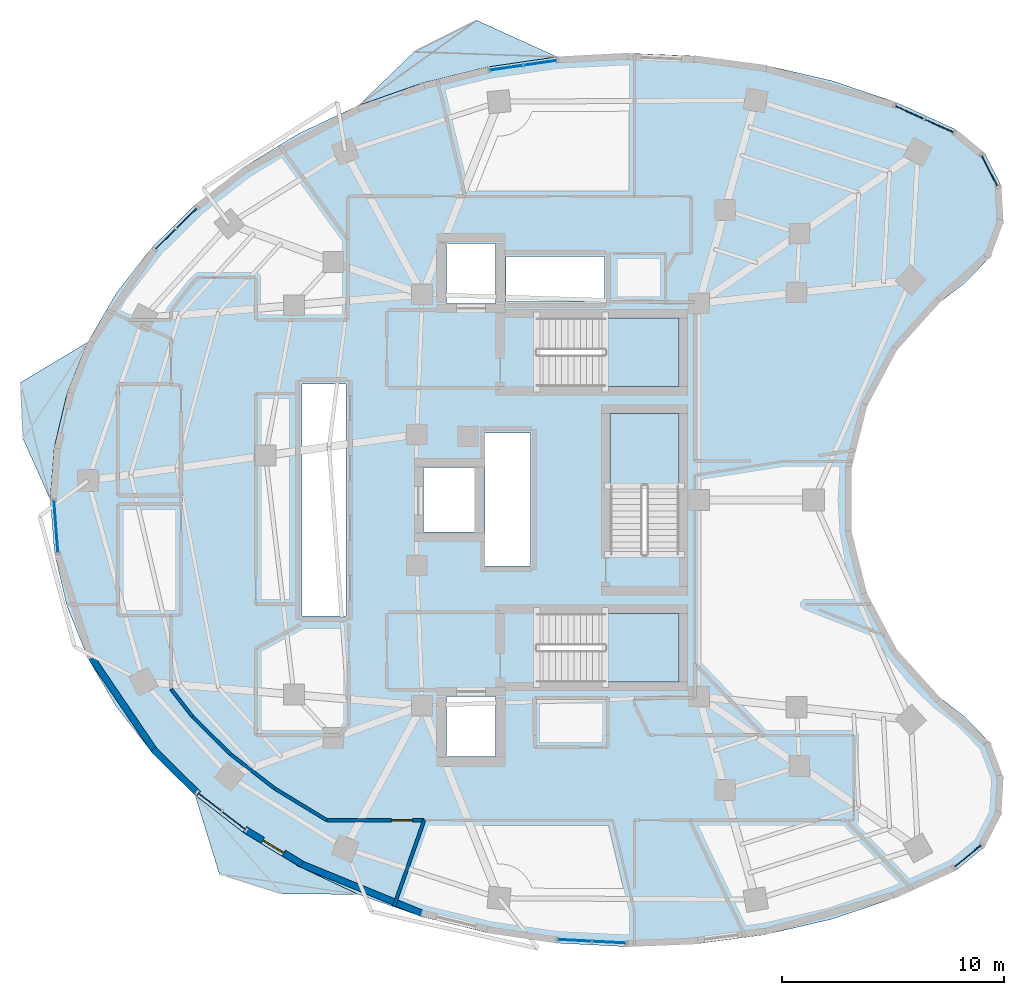
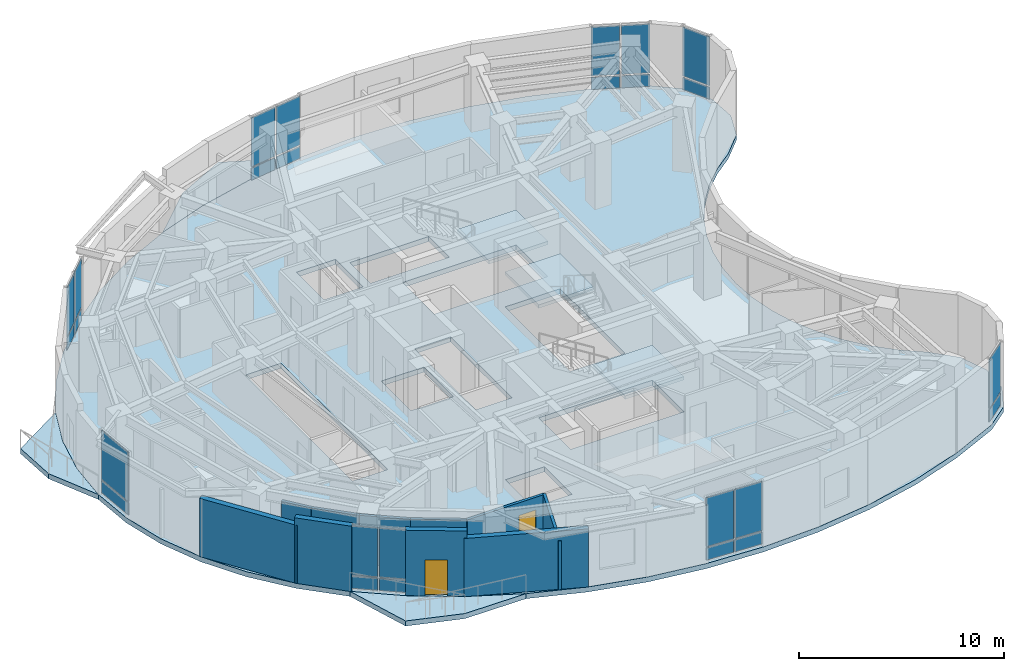
# One storey, part 6 of 13: 26 plates, 10 walls, 7 slabs, 2 doors, 2 openings, 11 elements without a shape of their own.
"""IFC4 building model written with IfcOpenShell, lengths in metres."""

from ifc_helpers import new_model, si_unit, direction, frame, frame_2d, origin, origin_2d, place, context, subcontext, project, spatial, polyline, rectangle, outline, extrude, material, layer, layer_set, type_object, element, fill, aggregate, save


model = new_model("IFC4")

# Units and contexts
model_context = context("Model", 3, precision=1e-05, world=origin(), true_north=direction((0.0, 1.0)))
body_context = subcontext(model_context, "Body", "Model", "MODEL_VIEW")
ifc_project = project(units=[si_unit("LENGTHUNIT", "METRE"), si_unit("AREAUNIT", "SQUARE_METRE"), si_unit("VOLUMEUNIT", "CUBIC_METRE"), si_unit("PLANEANGLEUNIT", "RADIAN"), si_unit("MASSUNIT", "GRAM", prefix="KILO")], contexts=[model_context])

# Site, building, storey
site_placement = place(None, origin())
site = spatial("IfcSite", under=ifc_project, at=site_placement, CompositionType="ELEMENT")
building_placement = place(site_placement, origin())
building = spatial("IfcBuilding", under=site, at=building_placement, Name="Korentha Bioscience Tower", CompositionType="ELEMENT")
storey_placement = place(building_placement, frame((0.0, 0.0, 204.60009765625)))
storey = spatial("IfcBuildingStorey", under=building, at=storey_placement, Name="L47", CompositionType="ELEMENT", Elevation=204.60009765625)

# Curtain wall, plates
ifc_material_1 = material(Name="Thermally Broken Aluminium Frame", Category="aluminium")
ifc_layer_1 = layer(ifc_material_1, 0.219970703125, Name="Thermally Broken Aluminium Frame")
ifc_layer_set_1 = layer_set([ifc_layer_1], Name="Thermally Broken Aluminium Frame (CW-T1)")
curtain_wall_type = type_object("IfcCurtainWallType", Name="Standard Bioscience Lab Unitised Curtain Wall CW-T1", PredefinedType="USERDEFINED", material=ifc_layer_set_1)
curtain_wall_1_placement = place(storey_placement, origin())
curtain_wall_1 = element("IfcCurtainWall", 1, at=curtain_wall_1_placement, inside=storey, type_object=curtain_wall_type, Name="L47 Curtain Wall 01", ObjectType="UNITISED", PredefinedType="USERDEFINED")
ifc_material_2 = material(Name="Triple-Glazed Low-E Insulated Glass", Category="glass")
ifc_layer_2 = layer(ifc_material_2, 0.0439453125, Name="Triple-Glazed Low-E Insulated Glass")
ifc_layer_set_2 = layer_set([ifc_layer_2], Name="Triple-Glazed Low-E Insulated Glass (GL-44)")
plate_type = type_object("IfcPlateType", Name="Glazed Panel 44mm", PredefinedType="CURTAIN_PANEL", material=ifc_layer_set_2)
plate_1_placement = place(storey_placement, frame((48.370849609375, 43.83203125, 0.08984375), z_axis=(0.0, 0.0, 1.0), x_axis=(-0.910520215031, 0.413464554733, 0.0)))
plate_1 = element("IfcPlate", 2, at=plate_1_placement, type_object=plate_type, Name="CW-L47-01 Bay 1 Glazed Panel 1", PredefinedType="CURTAIN_PANEL", context=body_context, shape_type="SweptSolid", body=[
    extrude(rectangle(XDim=1.390380859375, YDim=0.0439453125, at=origin_2d()), origin(), (0.0, 0.0, 1.0), 0.715087890625),
])
plate_2_placement = place(storey_placement, frame((48.370849609375, 43.83203125, 0.894775390625), z_axis=(0.0, 0.0, 1.0), x_axis=(-0.910520215031, 0.413464554733, 0.0)))
plate_2 = element("IfcPlate", 3, at=plate_2_placement, type_object=plate_type, Name="CW-L47-01 Bay 1 Glazed Panel 2", PredefinedType="CURTAIN_PANEL", context=body_context, shape_type="SweptSolid", body=[
    extrude(rectangle(XDim=1.390380859375, YDim=0.0439453125, at=origin_2d()), origin(), (0.0, 0.0, 1.0), 2.9150390625),
])
plate_3_placement = place(storey_placement, frame((47.02294921875, 44.444091796875, 0.08984375), z_axis=(0.0, 0.0, 1.0), x_axis=(-0.910520215031, 0.413464554733, 0.0)))
plate_3 = element("IfcPlate", 4, at=plate_3_placement, type_object=plate_type, Name="CW-L47-01 Bay 2 Glazed Panel 1", PredefinedType="CURTAIN_PANEL", context=body_context, shape_type="SweptSolid", body=[
    extrude(rectangle(XDim=1.390380859375, YDim=0.0439453125, at=origin_2d()), origin(), (0.0, 0.0, 1.0), 0.715087890625),
])
plate_4_placement = place(storey_placement, frame((47.02294921875, 44.444091796875, 0.894775390625), z_axis=(0.0, 0.0, 1.0), x_axis=(-0.910520215031, 0.413464554733, 0.0)))
plate_4 = element("IfcPlate", 5, at=plate_4_placement, type_object=plate_type, Name="CW-L47-01 Bay 2 Glazed Panel 2", PredefinedType="CURTAIN_PANEL", context=body_context, shape_type="SweptSolid", body=[
    extrude(rectangle(XDim=1.390380859375, YDim=0.0439453125, at=origin_2d()), origin(), (0.0, 0.0, 1.0), 2.9150390625),
])
aggregate(curtain_wall_1, [plate_1, plate_2, plate_3, plate_4])

curtain_wall_2_placement = place(storey_placement, origin())
curtain_wall_2 = element("IfcCurtainWall", 6, at=curtain_wall_2_placement, inside=storey, type_object=curtain_wall_type, Name="L47 Curtain Wall 07", ObjectType="UNITISED", PredefinedType="USERDEFINED")
plate_5_placement = place(storey_placement, frame((30.4111328125, 46.671142578125, 0.08984375), z_axis=(0.0, 0.0, 1.0), x_axis=(-0.989449480287, -0.144878314317, 0.0)))
plate_5 = element("IfcPlate", 7, at=plate_5_placement, type_object=plate_type, Name="CW-L47-07 Bay 1 Glazed Panel 1", PredefinedType="CURTAIN_PANEL", context=body_context, shape_type="SweptSolid", body=[
    extrude(rectangle(XDim=1.46435546875, YDim=0.0439453125, at=origin_2d()), origin(), (0.0, 0.0, 1.0), 0.715087890625),
])
plate_6_placement = place(storey_placement, frame((30.4111328125, 46.671142578125, 0.894775390625), z_axis=(0.0, 0.0, 1.0), x_axis=(-0.989449480287, -0.144878314317, 0.0)))
plate_6 = element("IfcPlate", 8, at=plate_6_placement, type_object=plate_type, Name="CW-L47-07 Bay 1 Glazed Panel 2", PredefinedType="CURTAIN_PANEL", context=body_context, shape_type="SweptSolid", body=[
    extrude(rectangle(XDim=1.46435546875, YDim=0.0439453125, at=origin_2d()), origin(), (0.0, 0.0, 1.0), 2.9150390625),
])
plate_7_placement = place(storey_placement, frame((28.873291015625, 46.44580078125, 0.08984375), z_axis=(0.0, 0.0, 1.0), x_axis=(-0.989449480287, -0.144878314317, 0.0)))
plate_7 = element("IfcPlate", 9, at=plate_7_placement, type_object=plate_type, Name="CW-L47-07 Bay 2 Glazed Panel 1", PredefinedType="CURTAIN_PANEL", context=body_context, shape_type="SweptSolid", body=[
    extrude(rectangle(XDim=1.46435546875, YDim=0.0439453125, at=origin_2d()), origin(), (0.0, 0.0, 1.0), 0.715087890625),
])
plate_8_placement = place(storey_placement, frame((28.873291015625, 46.44580078125, 0.894775390625), z_axis=(0.0, 0.0, 1.0), x_axis=(-0.989449480287, -0.144878314317, 0.0)))
plate_8 = element("IfcPlate", 10, at=plate_8_placement, type_object=plate_type, Name="CW-L47-07 Bay 2 Glazed Panel 2", PredefinedType="CURTAIN_PANEL", context=body_context, shape_type="SweptSolid", body=[
    extrude(rectangle(XDim=1.46435546875, YDim=0.0439453125, at=origin_2d()), origin(), (0.0, 0.0, 1.0), 2.9150390625),
])
aggregate(curtain_wall_2, [plate_5, plate_6, plate_7, plate_8])

curtain_wall_3_placement = place(storey_placement, origin())
curtain_wall_3 = element("IfcCurtainWall", 11, at=curtain_wall_3_placement, inside=storey, type_object=curtain_wall_type, Name="L47 Curtain Wall 13", ObjectType="UNITISED", PredefinedType="USERDEFINED")
plate_9_placement = place(storey_placement, frame((14.4990234375, 39.687255859375, 0.08984375), z_axis=(0.0, 0.0, 1.0), x_axis=(-0.711177694756, -0.703012294688, 0.0)))
plate_9 = element("IfcPlate", 12, at=plate_9_placement, type_object=plate_type, Name="CW-L47-13 Bay 1 Glazed Panel 1", PredefinedType="CURTAIN_PANEL", context=body_context, shape_type="SweptSolid", body=[
    extrude(rectangle(XDim=1.260986328125, YDim=0.0439453125, at=origin_2d()), origin(), (0.0, 0.0, 1.0), 0.715087890625),
])
plate_10_placement = place(storey_placement, frame((14.4990234375, 39.687255859375, 0.894775390625), z_axis=(0.0, 0.0, 1.0), x_axis=(-0.711177694756, -0.703012294688, 0.0)))
plate_10 = element("IfcPlate", 13, at=plate_10_placement, type_object=plate_type, Name="CW-L47-13 Bay 1 Glazed Panel 2", PredefinedType="CURTAIN_PANEL", context=body_context, shape_type="SweptSolid", body=[
    extrude(rectangle(XDim=1.260986328125, YDim=0.0439453125, at=origin_2d()), origin(), (0.0, 0.0, 1.0), 2.9150390625),
])
plate_11_placement = place(storey_placement, frame((13.538330078125, 38.737548828125, 0.08984375), z_axis=(0.0, 0.0, 1.0), x_axis=(-0.711177694756, -0.703012294688, 0.0)))
plate_11 = element("IfcPlate", 14, at=plate_11_placement, type_object=plate_type, Name="CW-L47-13 Bay 2 Glazed Panel 1", PredefinedType="CURTAIN_PANEL", context=body_context, shape_type="SweptSolid", body=[
    extrude(rectangle(XDim=1.260986328125, YDim=0.0439453125, at=origin_2d()), origin(), (0.0, 0.0, 1.0), 0.715087890625),
])
plate_12_placement = place(storey_placement, frame((13.538330078125, 38.737548828125, 0.894775390625), z_axis=(0.0, 0.0, 1.0), x_axis=(-0.711177694756, -0.703012294688, 0.0)))
plate_12 = element("IfcPlate", 15, at=plate_12_placement, type_object=plate_type, Name="CW-L47-13 Bay 2 Glazed Panel 2", PredefinedType="CURTAIN_PANEL", context=body_context, shape_type="SweptSolid", body=[
    extrude(rectangle(XDim=1.260986328125, YDim=0.0439453125, at=origin_2d()), origin(), (0.0, 0.0, 1.0), 2.9150390625),
])
aggregate(curtain_wall_3, [plate_9, plate_10, plate_11, plate_12])

curtain_wall_4_placement = place(storey_placement, origin())
curtain_wall_4 = element("IfcCurtainWall", 16, at=curtain_wall_4_placement, inside=storey, type_object=curtain_wall_type, Name="L47 Curtain Wall 19", ObjectType="UNITISED", PredefinedType="USERDEFINED")
plate_13_placement = place(storey_placement, frame((8.61279296875, 25.806640625, 0.08984375), z_axis=(0.0, 0.0, 1.0), x_axis=(0.077987717013, -0.996954319914, 0.0)))
plate_13 = element("IfcPlate", 17, at=plate_13_placement, type_object=plate_type, Name="CW-L47-19 Bay 1 Glazed Panel 1", PredefinedType="CURTAIN_PANEL", context=body_context, shape_type="SweptSolid", body=[
    extrude(rectangle(XDim=2.319091796875, YDim=0.0439453125, at=origin_2d()), origin(), (0.0, 0.0, 1.0), 0.715087890625),
])
plate_14_placement = place(storey_placement, frame((8.61279296875, 25.806640625, 0.894775390625), z_axis=(0.0, 0.0, 1.0), x_axis=(0.077987717013, -0.996954319914, 0.0)))
plate_14 = element("IfcPlate", 18, at=plate_14_placement, type_object=plate_type, Name="CW-L47-19 Bay 1 Glazed Panel 2", PredefinedType="CURTAIN_PANEL", context=body_context, shape_type="SweptSolid", body=[
    extrude(rectangle(XDim=2.319091796875, YDim=0.0439453125, at=origin_2d()), origin(), (0.0, 0.0, 1.0), 2.9150390625),
])
aggregate(curtain_wall_4, [plate_13, plate_14])

curtain_wall_5_placement = place(storey_placement, origin())
curtain_wall_5 = element("IfcCurtainWall", 19, at=curtain_wall_5_placement, inside=storey, type_object=curtain_wall_type, Name="L47 Curtain Wall 25", ObjectType="UNITISED", PredefinedType="USERDEFINED")
plate_15_placement = place(storey_placement, frame((15.523681640625, 13.41650390625, 0.08984375), z_axis=(0.0, 0.0, 1.0), x_axis=(0.790346099854, -0.612660625833, 0.0)))
plate_15 = element("IfcPlate", 20, at=plate_15_placement, type_object=plate_type, Name="CW-L47-25 Bay 1 Glazed Panel 1", PredefinedType="CURTAIN_PANEL", context=body_context, shape_type="SweptSolid", body=[
    extrude(rectangle(XDim=1.3046875, YDim=0.0439453125, at=origin_2d()), origin(), (0.0, 0.0, 1.0), 0.715087890625),
])
plate_16_placement = place(storey_placement, frame((15.523681640625, 13.41650390625, 0.894775390625), z_axis=(0.0, 0.0, 1.0), x_axis=(0.790346099854, -0.612660625833, 0.0)))
plate_16 = element("IfcPlate", 21, at=plate_16_placement, type_object=plate_type, Name="CW-L47-25 Bay 1 Glazed Panel 2", PredefinedType="CURTAIN_PANEL", context=body_context, shape_type="SweptSolid", body=[
    extrude(rectangle(XDim=1.3046875, YDim=0.0439453125, at=origin_2d()), origin(), (0.0, 0.0, 1.0), 2.9150390625),
])
plate_17_placement = place(storey_placement, frame((16.6259765625, 12.562255859375, 0.08984375), z_axis=(0.0, 0.0, 1.0), x_axis=(0.790346099854, -0.612660625833, 0.0)))
plate_17 = element("IfcPlate", 22, at=plate_17_placement, type_object=plate_type, Name="CW-L47-25 Bay 2 Glazed Panel 1", PredefinedType="CURTAIN_PANEL", context=body_context, shape_type="SweptSolid", body=[
    extrude(rectangle(XDim=1.3046875, YDim=0.0439453125, at=origin_2d()), origin(), (0.0, 0.0, 1.0), 0.715087890625),
])
plate_18_placement = place(storey_placement, frame((16.6259765625, 12.562255859375, 0.894775390625), z_axis=(0.0, 0.0, 1.0), x_axis=(0.790346099854, -0.612660625833, 0.0)))
plate_18 = element("IfcPlate", 23, at=plate_18_placement, type_object=plate_type, Name="CW-L47-25 Bay 2 Glazed Panel 2", PredefinedType="CURTAIN_PANEL", context=body_context, shape_type="SweptSolid", body=[
    extrude(rectangle(XDim=1.3046875, YDim=0.0439453125, at=origin_2d()), origin(), (0.0, 0.0, 1.0), 2.9150390625),
])
aggregate(curtain_wall_5, [plate_15, plate_16, plate_17, plate_18])

curtain_wall_6_placement = place(storey_placement, origin())
curtain_wall_6 = element("IfcCurtainWall", 24, at=curtain_wall_6_placement, inside=storey, type_object=curtain_wall_type, Name="L47 Curtain Wall 31", ObjectType="UNITISED", PredefinedType="USERDEFINED")
plate_19_placement = place(storey_placement, frame((31.956298828125, 7.176025390625, 0.08984375), z_axis=(0.0, 0.0, 1.0), x_axis=(0.998634603964, -0.052239140168, 0.0)))
plate_19 = element("IfcPlate", 25, at=plate_19_placement, type_object=plate_type, Name="CW-L47-31 Bay 1 Glazed Panel 1", PredefinedType="CURTAIN_PANEL", context=body_context, shape_type="SweptSolid", body=[
    extrude(rectangle(XDim=1.473876953125, YDim=0.0439453125, at=origin_2d()), origin(), (0.0, 0.0, 1.0), 0.715087890625),
])
plate_20_placement = place(storey_placement, frame((31.956298828125, 7.176025390625, 0.894775390625), z_axis=(0.0, 0.0, 1.0), x_axis=(0.998634603964, -0.052239140168, 0.0)))
plate_20 = element("IfcPlate", 26, at=plate_20_placement, type_object=plate_type, Name="CW-L47-31 Bay 1 Glazed Panel 2", PredefinedType="CURTAIN_PANEL", context=body_context, shape_type="SweptSolid", body=[
    extrude(rectangle(XDim=1.473876953125, YDim=0.0439453125, at=origin_2d()), origin(), (0.0, 0.0, 1.0), 2.9150390625),
])
plate_21_placement = place(storey_placement, frame((33.51806640625, 7.09423828125, 0.08984375), z_axis=(0.0, 0.0, 1.0), x_axis=(0.998634603964, -0.052239140168, 0.0)))
plate_21 = element("IfcPlate", 27, at=plate_21_placement, type_object=plate_type, Name="CW-L47-31 Bay 2 Glazed Panel 1", PredefinedType="CURTAIN_PANEL", context=body_context, shape_type="SweptSolid", body=[
    extrude(rectangle(XDim=1.473876953125, YDim=0.0439453125, at=origin_2d()), origin(), (0.0, 0.0, 1.0), 0.715087890625),
])
plate_22_placement = place(storey_placement, frame((33.51806640625, 7.09423828125, 0.894775390625), z_axis=(0.0, 0.0, 1.0), x_axis=(0.998634603964, -0.052239140168, 0.0)))
plate_22 = element("IfcPlate", 28, at=plate_22_placement, type_object=plate_type, Name="CW-L47-31 Bay 2 Glazed Panel 2", PredefinedType="CURTAIN_PANEL", context=body_context, shape_type="SweptSolid", body=[
    extrude(rectangle(XDim=1.473876953125, YDim=0.0439453125, at=origin_2d()), origin(), (0.0, 0.0, 1.0), 2.9150390625),
])
aggregate(curtain_wall_6, [plate_19, plate_20, plate_21, plate_22])

curtain_wall_7_placement = place(storey_placement, origin())
curtain_wall_7 = element("IfcCurtainWall", 29, at=curtain_wall_7_placement, inside=storey, type_object=curtain_wall_type, Name="L47 Curtain Wall 37", ObjectType="UNITISED", PredefinedType="USERDEFINED")
plate_23_placement = place(storey_placement, frame((49.65478515625, 10.978271484375, 0.08984375), z_axis=(0.0, 0.0, 1.0), x_axis=(0.774088224596, 0.633077736571, 0.0)))
plate_23 = element("IfcPlate", 30, at=plate_23_placement, type_object=plate_type, Name="CW-L47-37 Bay 1 Glazed Panel 1", PredefinedType="CURTAIN_PANEL", context=body_context, shape_type="SweptSolid", body=[
    extrude(rectangle(XDim=1.555419921875, YDim=0.0439453125, at=origin_2d()), origin(), (0.0, 0.0, 1.0), 0.715087890625),
])
plate_24_placement = place(storey_placement, frame((49.65478515625, 10.978271484375, 0.894775390625), z_axis=(0.0, 0.0, 1.0), x_axis=(0.774088224596, 0.633077736571, 0.0)))
plate_24 = element("IfcPlate", 31, at=plate_24_placement, type_object=plate_type, Name="CW-L47-37 Bay 1 Glazed Panel 2", PredefinedType="CURTAIN_PANEL", context=body_context, shape_type="SweptSolid", body=[
    extrude(rectangle(XDim=1.555419921875, YDim=0.0439453125, at=origin_2d()), origin(), (0.0, 0.0, 1.0), 2.9150390625),
])
aggregate(curtain_wall_7, [plate_23, plate_24])

curtain_wall_8_placement = place(storey_placement, origin())
curtain_wall_8 = element("IfcCurtainWall", 32, at=curtain_wall_8_placement, inside=storey, type_object=curtain_wall_type, Name="L47 Curtain Wall 61", ObjectType="UNITISED", PredefinedType="USERDEFINED")
plate_25_placement = place(storey_placement, frame((50.6298828125, 41.8115234375, 0.08984375), z_axis=(0.0, 0.0, 1.0), x_axis=(-0.454115695623, 0.89094272262, 0.0)))
plate_25 = element("IfcPlate", 33, at=plate_25_placement, type_object=plate_type, Name="CW-L47-61 Bay 1 Glazed Panel 1", PredefinedType="CURTAIN_PANEL", context=body_context, shape_type="SweptSolid", body=[
    extrude(rectangle(XDim=1.55517578125, YDim=0.0439453125, at=origin_2d()), origin(), (0.0, 0.0, 1.0), 0.715087890625),
])
plate_26_placement = place(storey_placement, frame((50.6298828125, 41.8115234375, 0.894775390625), z_axis=(0.0, 0.0, 1.0), x_axis=(-0.454115695623, 0.89094272262, 0.0)))
plate_26 = element("IfcPlate", 34, at=plate_26_placement, type_object=plate_type, Name="CW-L47-61 Bay 1 Glazed Panel 2", PredefinedType="CURTAIN_PANEL", context=body_context, shape_type="SweptSolid", body=[
    extrude(rectangle(XDim=1.55517578125, YDim=0.0439453125, at=origin_2d()), origin(), (0.0, 0.0, 1.0), 2.9150390625),
])
aggregate(curtain_wall_8, [plate_25, plate_26])

# Slab
ifc_material_3 = material(Name="Concrete C50", Category="concrete")
ifc_layer_3 = layer(ifc_material_3, 0.300048828125, Name="Concrete C50")
ifc_layer_set_3 = layer_set([ifc_layer_3], Name="Concrete C50 (SL-L300)")
slab_type_1 = type_object("IfcSlabType", Name="Laboratory Vibration-Controlled Slab 300", PredefinedType="FLOOR", material=ifc_layer_set_3)
slab_1_placement = place(storey_placement, frame((0.0, 0.0, -0.300048828125)))
element("IfcSlab", 35, at=slab_1_placement, inside=storey, type_object=slab_type_1, Name="L47 Tower Structural Floor Slab", PredefinedType="FLOOR", context=body_context, shape_type="SweptSolid", body=[
    extrude(outline(polyline([(49.115478515625, 43.669677734375), (46.41064453125, 44.89794921875), (43.533935546875, 45.867919921875), (40.526611328125, 46.565185546875), (37.432373046875, 46.97998046875), (34.295654296875, 47.106689453125), (31.161865234375, 46.942626953125), (28.076416015625, 46.490966796875), (25.08349609375, 45.7578125), (22.2265625, 44.753662109375), (19.546875, 43.4931640625), (17.0830078125, 41.99462890625), (14.87060546875, 40.279541015625), (12.941650390625, 38.372802734375), (11.323974609375, 36.3017578125), (10.041015625, 34.096435546875), (9.11083984375, 31.788818359375), (8.547607421875, 29.41162109375), (8.35888671875, 27.0), (8.547607421875, 24.58837890625), (9.11083984375, 22.211181640625), (10.041015625, 19.903564453125), (11.323974609375, 17.6982421875), (12.941650390625, 15.627197265625), (14.87060546875, 13.720458984375), (17.0830078125, 12.00537109375), (19.546875, 10.5068359375), (22.2265625, 9.246337890625), (25.08349609375, 8.2421875), (28.076416015625, 7.509033203125), (31.161865234375, 7.057373046875), (34.295654296875, 6.893310546875), (37.432373046875, 7.02001953125), (40.526611328125, 7.434814453125), (43.533935546875, 8.132080078125), (46.41064453125, 9.10205078125), (49.115478515625, 10.330322265625), (50.396728515625, 11.37841796875), (51.1484375, 12.853271484375), (51.243408203125, 14.505615234375), (50.66552734375, 16.056884765625), (49.5126953125, 17.244873046875), (48.373046875, 18.119384765625), (47.348388671875, 19.12646484375), (46.453857421875, 20.250732421875), (45.703125, 21.475830078125), (45.107421875, 22.783203125), (44.67529296875, 24.1533203125), (44.41357421875, 25.56591796875), (44.325927734375, 27.0), (44.41357421875, 28.43408203125), (44.67529296875, 29.8466796875), (45.107421875, 31.216796875), (45.703125, 32.524169921875), (46.453857421875, 33.749267578125), (47.348388671875, 34.87353515625), (48.373046875, 35.880615234375), (49.5126953125, 36.755126953125), (50.66552734375, 37.943115234375), (51.243408203125, 39.494384765625), (51.1484375, 41.146728515625), (50.396728515625, 42.62158203125), (49.115478515625, 43.669677734375)]), holes=[polyline([(30.25, 32.10009765625), (36.64990234375, 32.10009765625), (36.64990234375, 35.199951171875), (30.25, 35.199951171875), (30.25, 32.10009765625)]), polyline([(30.25, 18.800048828125), (36.64990234375, 18.800048828125), (36.64990234375, 21.89990234375), (30.25, 21.89990234375), (30.25, 18.800048828125)]), polyline([(36.64990234375, 24.550048828125), (36.64990234375, 30.89990234375), (33.550048828125, 30.89990234375), (33.550048828125, 24.550048828125), (36.64990234375, 24.550048828125)]), polyline([(19.679931640625, 21.780029296875), (21.669921875, 21.780029296875), (21.669921875, 32.219970703125), (19.679931640625, 32.219970703125), (19.679931640625, 21.780029296875)]), polyline([(27.929931640625, 24.030029296875), (29.969970703125, 24.030029296875), (29.969970703125, 30.02001953125), (27.929931640625, 30.02001953125), (27.929931640625, 24.030029296875)]), polyline([(28.860107421875, 35.93994140625), (33.31005859375, 35.93994140625), (33.31005859375, 37.9599609375), (28.860107421875, 37.9599609375), (28.860107421875, 35.93994140625)]), polyline([(26.199951171875, 15.449951171875), (28.39990234375, 15.449951171875), (28.39990234375, 18.14990234375), (26.199951171875, 18.14990234375), (26.199951171875, 15.449951171875)]), polyline([(26.199951171875, 35.85009765625), (28.39990234375, 35.85009765625), (28.39990234375, 38.550048828125), (26.199951171875, 38.550048828125), (26.199951171875, 35.85009765625)]), polyline([(25.14990234375, 25.550048828125), (27.550048828125, 25.550048828125), (27.550048828125, 28.449951171875), (25.14990234375, 28.449951171875), (25.14990234375, 25.550048828125)])]), origin(), (0.0, 0.0, 1.0), 0.300048828125),
])

# Stair, slab
ifc_material_4 = material(Name="Precast Concrete C50", Category="concrete")
stair_type = type_object("IfcStairType", Name="Core Exit Dog-Leg Stair 1450", PredefinedType="HALF_TURN_STAIR", material=ifc_material_4)
stair_1_placement = place(storey_placement, origin())
stair_1 = element("IfcStair", 36, at=stair_1_placement, inside=storey, type_object=stair_type, Name="L47 Tower North Pressurized Exit Stair ST-1", PredefinedType="HALF_TURN_STAIR")
ifc_layer_4 = layer(ifc_material_3, 0.199951171875, Name="Concrete C50")
ifc_layer_set_4 = layer_set([ifc_layer_4], Name="Concrete C50 (SL-LND)")
slab_type_2 = type_object("IfcSlabType", Name="Landing Slab 200", PredefinedType="LANDING", material=ifc_layer_set_4)
slab_2_placement = place(storey_placement, frame((0.0, 0.0, 1.89990234375)))
slab_2 = element("IfcSlab", 37, at=slab_2_placement, type_object=slab_type_2, Name="ST-1 landing 1", PredefinedType="LANDING", context=body_context, shape_type="SweptSolid", body=[
    extrude(outline(polyline([(33.330078125, 32.10009765625), (36.64990234375, 32.10009765625), (36.64990234375, 35.199951171875), (33.330078125, 35.199951171875), (33.330078125, 32.10009765625)])), origin(), (0.0, 0.0, 1.0), 0.199951171875),
])
aggregate(stair_1, [slab_2])

stair_2_placement = place(storey_placement, origin())
stair_2 = element("IfcStair", 38, at=stair_2_placement, inside=storey, type_object=stair_type, Name="L47 Tower South Pressurized Exit Stair ST-2", PredefinedType="HALF_TURN_STAIR")
slab_3_placement = place(storey_placement, frame((0.0, 0.0, 1.89990234375)))
slab_3 = element("IfcSlab", 39, at=slab_3_placement, type_object=slab_type_2, Name="ST-2 landing 1", PredefinedType="LANDING", context=body_context, shape_type="SweptSolid", body=[
    extrude(outline(polyline([(33.330078125, 18.800048828125), (36.64990234375, 18.800048828125), (36.64990234375, 21.89990234375), (33.330078125, 21.89990234375), (33.330078125, 18.800048828125)])), origin(), (0.0, 0.0, 1.0), 0.199951171875),
])
aggregate(stair_2, [slab_3])

stair_3_placement = place(storey_placement, origin())
stair_3 = element("IfcStair", 40, at=stair_3_placement, inside=storey, type_object=stair_type, Name="L47 Tower Central Pressurized Exit Stair ST-3", PredefinedType="HALF_TURN_STAIR")
slab_4_placement = place(storey_placement, frame((0.0, 0.0, 1.89990234375)))
slab_4 = element("IfcSlab", 41, at=slab_4_placement, type_object=slab_type_2, Name="ST-3 landing 1", PredefinedType="LANDING", context=body_context, shape_type="SweptSolid", body=[
    extrude(outline(polyline([(36.64990234375, 27.6298828125), (36.64990234375, 30.89990234375), (33.550048828125, 30.89990234375), (33.550048828125, 27.6298828125), (36.64990234375, 27.6298828125)])), origin(), (0.0, 0.0, 1.0), 0.199951171875),
])
aggregate(stair_3, [slab_4])

# Slabs
ifc_layer_5 = layer(ifc_material_3, 0.300048828125, Name="Concrete C50")
ifc_layer_set_5 = layer_set([ifc_layer_5], Name="Concrete C50 (BS-240)")
slab_type_3 = type_object("IfcSlabType", Name="Sawtooth Sun-Ledge Balcony Slab 240", PredefinedType="USERDEFINED", material=ifc_layer_set_5)
slab_5_placement = place(storey_placement, frame((0.0, 0.0, -0.300048828125)))
element("IfcSlab", 42, at=slab_5_placement, inside=storey, type_object=slab_type_3, Name="L47 Sun-Ledge Balcony 01", ObjectType="BALCONY", PredefinedType="USERDEFINED", context=body_context, shape_type="SweptSolid", body=[
    extrude(outline(polyline([(22.2265625, 44.753662109375), (25.08349609375, 45.7578125), (28.076416015625, 46.490966796875), (31.161865234375, 46.942626953125), (27.564697265625, 48.5791015625), (24.738525390625, 47.166015625), (22.2265625, 44.753662109375)])), origin(), (0.0, 0.0, 1.0), 0.300048828125),
])
slab_6_placement = place(storey_placement, frame((0.0, 0.0, -0.300048828125)))
element("IfcSlab", 43, at=slab_6_placement, inside=storey, type_object=slab_type_3, Name="L47 Sun-Ledge Balcony 02", ObjectType="BALCONY", PredefinedType="USERDEFINED", context=body_context, shape_type="SweptSolid", body=[
    extrude(outline(polyline([(8.35888671875, 27.0), (8.547607421875, 29.41162109375), (9.11083984375, 31.788818359375), (10.041015625, 34.096435546875), (7.018798828125, 32.28466796875), (7.13671875, 29.74609375), (8.35888671875, 27.0)])), origin(), (0.0, 0.0, 1.0), 0.300048828125),
])
slab_7_placement = place(storey_placement, frame((0.0, 0.0, -0.300048828125)))
element("IfcSlab", 44, at=slab_7_placement, inside=storey, type_object=slab_type_3, Name="L47 Sun-Ledge Balcony 03", ObjectType="BALCONY", PredefinedType="USERDEFINED", context=body_context, shape_type="SweptSolid", body=[
    extrude(outline(polyline([(22.2265625, 9.246337890625), (19.546875, 10.5068359375), (17.0830078125, 12.00537109375), (14.87060546875, 13.720458984375), (15.9658203125, 10.16845703125), (18.79345703125, 9.26806640625), (22.2265625, 9.246337890625)])), origin(), (0.0, 0.0, 1.0), 0.300048828125),
])

# Wall, opening, door
ifc_material_5 = material(Name="Double-Stud Acoustic Gypsum", Category="gypsum")
ifc_layer_6 = layer(ifc_material_5, 0.14990234375, Name="Double-Stud Acoustic Gypsum")
ifc_layer_set_6 = layer_set([ifc_layer_6], Name="Double-Stud Acoustic Gypsum (IW-L150)")
wall_type_1 = type_object("IfcWallType", Name="Acoustic Laboratory Partition Wall 150", PredefinedType="PARTITIONING", material=ifc_layer_set_6)
wall_1_placement = place(storey_placement, frame((20.80078125, 12.590087890625, 0.0), z_axis=(0.0, 0.0, 1.0), x_axis=(1.0, 0.0, 0.0)))
wall_1 = element("IfcWall", 45, at=wall_1_placement, inside=storey, type_object=wall_type_1, Name="L47 Biomechanical Motion Analysis Lab 02 Entrance Wall", PredefinedType="PARTITIONING", context=body_context, shape_type="SweptSolid", body=[
    extrude(rectangle(XDim=4.386474609375, YDim=0.14990234375, at=frame_2d((2.193359375, 0.0))), origin(), (0.0, 0.0, 1.0), 2.909912109375),
])
opening_1_placement = place(wall_1_placement, frame((2.919921875, 0.0, 0.0)))
opening_1 = element("IfcOpeningElement", 46, at=opening_1_placement, cuts=wall_1, Name="Opening ID-10L", PredefinedType="OPENING", context=body_context, shape_type="SweptSolid", body=[
    extrude(rectangle(XDim=0.949951171875, YDim=2.14990234375, at=frame_2d((0.47509765625, 1.074951171875))), frame((0.0, 0.08984375, 0.0), z_axis=(0.0, -1.0, 0.0), x_axis=(1.0, 0.0, 0.0)), (0.0, 0.0, 1.0), 0.1796875),
])
ifc_material_6 = material(Name="Phenolic Laminate Timber Core", Category="wood")
door_type_1 = type_object("IfcDoorType", Name="Laboratory Single Leaf Door 950x2150 Left", OperationType="SINGLE_SWING_LEFT", PredefinedType="DOOR", material=ifc_material_6)
door_1_placement = place(opening_1_placement, origin())
door_1 = element("IfcDoor", 47, at=door_1_placement, inside=storey, type_object=door_type_1, Name="L47 Biomechanical Motion Analysis Lab 02 Door", OperationType="SINGLE_SWING_LEFT", OverallHeight=2.14990234375, OverallWidth=0.949951171875, PredefinedType="DOOR", context=body_context, shape_type="SweptSolid", body=[
    extrude(rectangle(XDim=0.949951171875, YDim=2.14990234375, at=frame_2d((0.47509765625, 1.074951171875))), frame((0.0, 0.02490234375, 0.0), z_axis=(0.0, -1.0, 0.0), x_axis=(1.0, 0.0, 0.0)), (0.0, 0.0, 1.0), 0.050048828125),
])
fill(opening_1, door_1)

# Walls
wall_2_placement = place(storey_placement, frame((13.7919921875, 18.486083984375, 0.0), z_axis=(0.0, 0.0, 1.0), x_axis=(0.615625972761, -0.788038489962, 0.0)))
element("IfcWall", 48, at=wall_2_placement, inside=storey, type_object=wall_type_1, Name="L47 Interior Partition 039", PredefinedType="PARTITIONING", context=body_context, shape_type="SweptSolid", body=[
    extrude(rectangle(XDim=1.5732421875, YDim=0.14990234375, at=frame_2d((0.78662109375, 0.0))), origin(), (0.0, 0.0, 1.0), 2.909912109375),
])
wall_3_placement = place(storey_placement, frame((14.76123046875, 17.245361328125, 0.0), z_axis=(0.0, 0.0, 1.0), x_axis=(0.711199111112, -0.702990628923, 0.0)))
element("IfcWall", 49, at=wall_3_placement, inside=storey, type_object=wall_type_1, Name="L47 Interior Partition 040", PredefinedType="PARTITIONING", context=body_context, shape_type="SweptSolid", body=[
    extrude(rectangle(XDim=2.4091796875, YDim=0.14990234375, at=frame_2d((1.20458984375, 0.0))), origin(), (0.0, 0.0, 1.0), 2.909912109375),
])
wall_4_placement = place(storey_placement, frame((16.4755859375, 15.551025390625, 0.0), z_axis=(0.0, 0.0, 1.0), x_axis=(0.790344529681, -0.612662651386, 0.0)))
element("IfcWall", 50, at=wall_4_placement, inside=storey, type_object=wall_type_1, Name="L47 Interior Partition 041", PredefinedType="PARTITIONING", context=body_context, shape_type="SweptSolid", body=[
    extrude(rectangle(XDim=2.514404296875, YDim=0.14990234375, at=frame_2d((1.25732421875, 0.0))), origin(), (0.0, 0.0, 1.0), 2.909912109375),
])
wall_5_placement = place(storey_placement, frame((18.4638671875, 14.009765625, 0.0), z_axis=(0.0, 0.0, 1.0), x_axis=(0.854383333884, -0.519643261076, 0.0)))
element("IfcWall", 51, at=wall_5_placement, inside=storey, type_object=wall_type_1, Name="L47 Interior Partition 042", PredefinedType="PARTITIONING", context=body_context, shape_type="SweptSolid", body=[
    extrude(rectangle(XDim=2.729248046875, YDim=0.14990234375, at=frame_2d((1.36474609375, 0.0))), origin(), (0.0, 0.0, 1.0), 2.909912109375),
])
wall_6_placement = place(storey_placement, frame((25.187255859375, 12.590087890625, 0.0), z_axis=(0.0, 0.0, 1.0), x_axis=(-0.33203815737, -0.9432659551, 0.0)))
element("IfcWall", 52, at=wall_6_placement, inside=storey, type_object=wall_type_1, Name="L47 Interior Partition 043", PredefinedType="PARTITIONING", context=body_context, shape_type="SweptSolid", body=[
    extrude(rectangle(XDim=4.1162109375, YDim=0.14990234375, at=frame_2d((2.05810546875, 0.0))), origin(), (0.0, 0.0, 1.0), 2.909912109375),
])

# Wall, opening, door
ifc_material_7 = material(Name="Honed Limestone Precast Concrete C40", Category="masonry")
ifc_layer_7 = layer(ifc_material_7, 0.300048828125, Name="Honed Limestone Precast Concrete C40")
ifc_layer_set_7 = layer_set([ifc_layer_7], Name="Honed Limestone Precast Concrete C40 (EW-ST300)")
wall_type_2 = type_object("IfcWallType", Name="Honed Limestone Cavity Spandrel Wall 300", PredefinedType="STANDARD", material=ifc_layer_set_7)
wall_7_placement = place(storey_placement, frame((17.114990234375, 12.17333984375, 0.0), z_axis=(0.0, 0.0, 1.0), x_axis=(0.854364873812, -0.519673611411, 0.0)))
wall_7 = element("IfcWall", 53, at=wall_7_placement, inside=storey, type_object=wall_type_2, Name="L47 Balcony Threshold Wall 03", PredefinedType="STANDARD", context=body_context, shape_type="SweptSolid", body=[
    extrude(rectangle(XDim=3.00390625, YDim=0.300048828125, at=frame_2d((1.501953125, 0.0))), origin(), (0.0, 0.0, 1.0), 3.89990234375),
])
opening_2_placement = place(wall_7_placement, frame((0.951904296875, 0.0, 0.0)))
opening_2 = element("IfcOpeningElement", 54, at=opening_2_placement, cuts=wall_7, Name="Opening BD-11L", PredefinedType="OPENING", context=body_context, shape_type="SweptSolid", body=[
    extrude(rectangle(XDim=1.10009765625, YDim=2.14990234375, at=frame_2d((0.550048828125, 1.074951171875))), frame((0.0, 0.1650390625, 0.0), z_axis=(0.0, -1.0, 0.0), x_axis=(1.0, 0.0, 0.0)), (0.0, 0.0, 1.0), 0.329833984375),
])
ifc_material_8 = material(Name="Thermally Broken Glazed Aluminium", Category="aluminium")
door_type_2 = type_object("IfcDoorType", Name="Balcony Terrace Glazed Door 1100x2150 Left", OperationType="SINGLE_SWING_LEFT", PredefinedType="DOOR", material=ifc_material_8)
door_2_placement = place(opening_2_placement, origin())
door_2 = element("IfcDoor", 55, at=door_2_placement, inside=storey, type_object=door_type_2, Name="L47 Balcony Access Door 03", OperationType="SINGLE_SWING_LEFT", OverallHeight=2.14990234375, OverallWidth=1.10009765625, PredefinedType="DOOR", context=body_context, shape_type="SweptSolid", body=[
    extrude(rectangle(XDim=1.10009765625, YDim=2.14990234375, at=frame_2d((0.550048828125, 1.074951171875))), frame((0.0, 0.02490234375, 0.0), z_axis=(0.0, -1.0, 0.0), x_axis=(1.0, 0.0, 0.0)), (0.0, 0.0, 1.0), 0.050048828125),
])
fill(opening_2, door_2)

# Walls
wall_8_placement = place(storey_placement, frame((10.11181640625, 20.04833984375, 0.0), z_axis=(0.0, 0.0, 1.0), x_axis=(0.561387104339, -0.827553333074, 0.0)))
element("IfcWall", 56, at=wall_8_placement, inside=storey, type_object=wall_type_2, Name="L47 Limestone Perimeter Closure Wall 22", PredefinedType="STANDARD", context=body_context, shape_type="SweptSolid", body=[
    extrude(rectangle(XDim=5.327392578125, YDim=0.300048828125, at=frame_2d((2.66357421875, 0.0))), origin(), (0.0, 0.0, 1.0), 3.469970703125),
])
wall_9_placement = place(storey_placement, frame((12.983154296875, 15.782958984375, 0.0), z_axis=(0.0, 0.0, 1.0), x_axis=(0.711174895637, -0.703015126307, 0.0)))
element("IfcWall", 57, at=wall_9_placement, inside=storey, type_object=wall_type_2, Name="L47 Limestone Perimeter Closure Wall 24", PredefinedType="STANDARD", context=body_context, shape_type="SweptSolid", body=[
    extrude(rectangle(XDim=2.872314453125, YDim=0.300048828125, at=frame_2d((1.43603515625, 0.0))), origin(), (0.0, 0.0, 1.0), 3.89990234375),
])
wall_10_placement = place(storey_placement, frame((19.52587890625, 10.666748046875, 0.0), z_axis=(0.0, 0.0, 1.0), x_axis=(0.925564684887, -0.37858950605, 0.0)))
element("IfcWall", 58, at=wall_10_placement, inside=storey, type_object=wall_type_2, Name="L47 Limestone Perimeter Closure Wall 27", PredefinedType="STANDARD", context=body_context, shape_type="SweptSolid", body=[
    extrude(rectangle(XDim=6.141845703125, YDim=0.300048828125, at=frame_2d((3.07080078125, 0.0))), origin(), (0.0, 0.0, 1.0), 3.469970703125),
])

save(model, "model.ifc")
